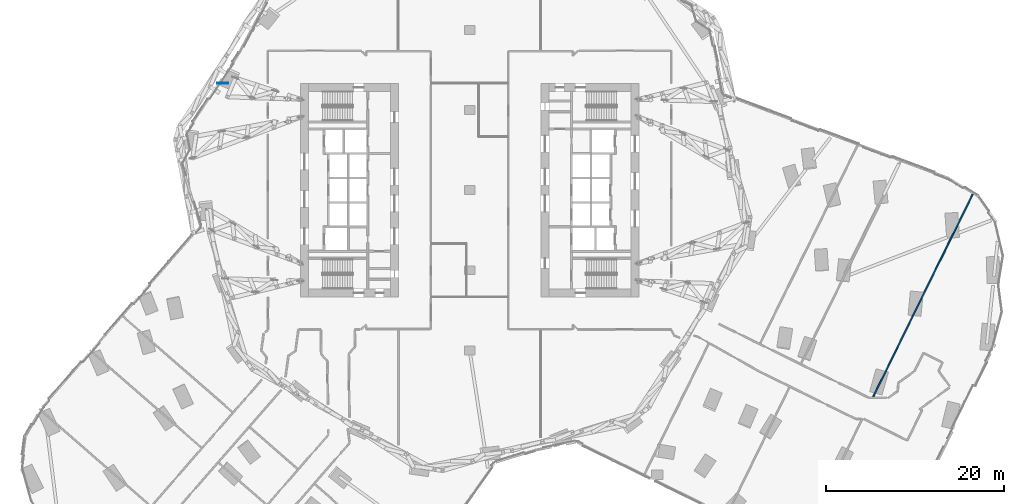
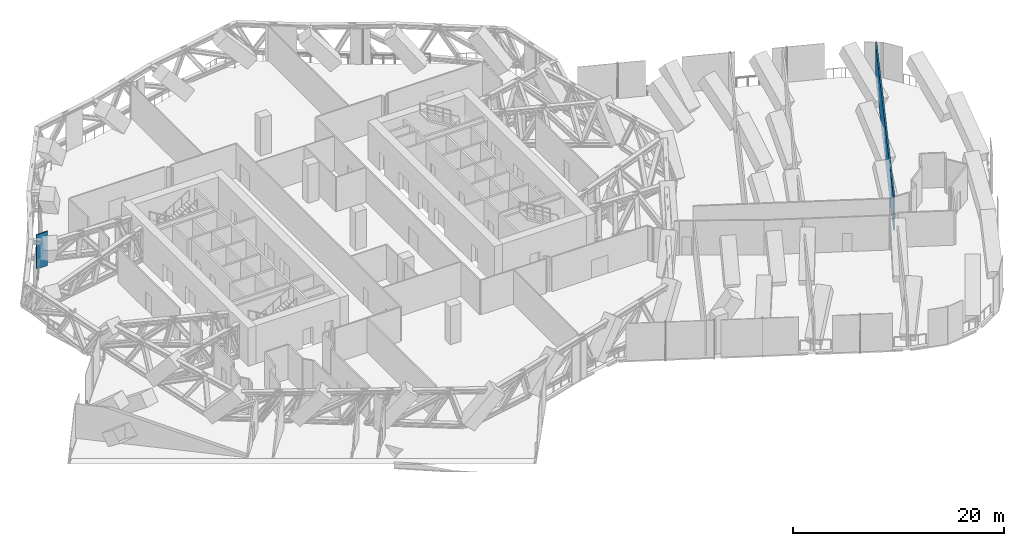
# One storey, part 29 of 34: 2 walls.
"""IFC4 building model written with IfcOpenShell, lengths in metres."""

import ifcopenshell
import ifcopenshell.guid

model = None  # the IFC model being written
_history = None  # IfcOwnerHistory: only IFC2X3 demands one
_inside = {}  # id of a spatial element -> (the spatial element, [elements in it])
_under = {}  # id of a project, library or spatial element -> (it, [spatial elements below it])
_declared = {}  # id of a project -> (the project, [libraries it declares])
_typed = {}  # id of a type object -> (the type object, [elements of that type])
_made_of = {}  # id of a material, layer set ... -> (it, [elements and type objects made of it])


def new_model(schema):
    """Start an empty IFC model of exactly this schema.

    Asked for "IFC4X3", IfcOpenShell would pick the latest addendum, in which some entities
    have other attributes; the version numbers below select the first issue.
    IFC2X3 requires an IfcOwnerHistory on every rooted entity: one is made here for all.
    """
    global model, _history
    if schema == "IFC4X3":
        model = ifcopenshell.file(schema_version=(4, 3, 0, 0))
    else:
        model = ifcopenshell.file(schema=schema)
    _inside.clear()
    _under.clear()
    _declared.clear()
    _typed.clear()
    _made_of.clear()
    _history = None
    if model.schema == "IFC2X3":
        org = make("IfcOrganization", Name="unknown")
        user = make(
            "IfcPersonAndOrganization",
            ThePerson=make("IfcPerson", FamilyName="unknown"),
            TheOrganization=org,
        )
        app = make(
            "IfcApplication",
            ApplicationDeveloper=org,
            Version="unknown",
            ApplicationFullName="unknown",
            ApplicationIdentifier="unknown",
        )
        _history = make(
            "IfcOwnerHistory",
            OwningUser=user,
            OwningApplication=app,
            ChangeAction="ADDED",
            CreationDate=0,
        )
    return model


def make(cls, **values):
    """One entity of the class cls with the attributes given. An attribute that is None is left unset."""
    return model.create_entity(
        cls, **{name: value for name, value in values.items() if value is not None}
    )


def rooted(cls, **values):
    """An entity with a GlobalId (a new one), such as an element, a storey or a relation."""
    return make(cls, GlobalId=ifcopenshell.guid.new(), OwnerHistory=_history, **values)


def si_unit(unit_type, name, prefix=None):
    """IfcSIUnit, for example si_unit("LENGTHUNIT", "METRE", prefix="MILLI")."""
    return make("IfcSIUnit", UnitType=unit_type, Prefix=prefix, Name=name)


def assignment(units):
    """IfcUnitAssignment: the units of a project."""
    return None if units is None else make("IfcUnitAssignment", Units=units)


def point(xyz):
    """IfcCartesianPoint."""
    return None if xyz is None else make("IfcCartesianPoint", Coordinates=xyz)


def direction(xyz):
    """IfcDirection."""
    return None if xyz is None else make("IfcDirection", DirectionRatios=xyz)


def frame(location, z_axis=None, x_axis=None):
    """IfcAxis2Placement3D, a coordinate frame: its origin and axes. An axis left out is left unset."""
    return make(
        "IfcAxis2Placement3D",
        Location=point(location),
        Axis=direction(z_axis),
        RefDirection=direction(x_axis),
    )


def frame_2d(location, x_axis=None):
    """IfcAxis2Placement2D, a coordinate frame in the plane: its origin and x axis."""
    return make(
        "IfcAxis2Placement2D", Location=point(location), RefDirection=direction(x_axis)
    )


def origin():
    """The frame at (0, 0, 0) with its axes left unset."""
    return frame((0.0, 0.0, 0.0))


def place(relative_to, where):
    """IfcLocalPlacement: puts the frame where relative to a parent placement (None: the world)."""
    return make(
        "IfcLocalPlacement", PlacementRelTo=relative_to, RelativePlacement=where
    )


def context(
    kind, dimensions, precision=None, world=None, true_north=None, identifier=None
):
    """IfcGeometricRepresentationContext, for example the 3D "Model" context."""
    return make(
        "IfcGeometricRepresentationContext",
        ContextIdentifier=identifier,
        ContextType=kind,
        CoordinateSpaceDimension=dimensions,
        Precision=precision,
        WorldCoordinateSystem=world,
        TrueNorth=true_north,
    )


def subcontext(parent, identifier, kind, view, scale=None):
    """IfcGeometricRepresentationSubContext, for example "Body" below "Model"."""
    return make(
        "IfcGeometricRepresentationSubContext",
        ContextIdentifier=identifier,
        ContextType=kind,
        ParentContext=parent,
        TargetScale=scale,
        TargetView=view,
    )


def project(units=None, contexts=None):
    """IfcProject with its units and contexts."""
    return rooted(
        "IfcProject",
        Name="project",
        RepresentationContexts=contexts,
        UnitsInContext=assignment(units),
    )


def spatial(cls, under=None, at=None, **own):
    """A site, building, storey or space (cls), placed at a placement, below another one or the project."""
    s = rooted(cls, ObjectPlacement=at, **own)
    if under is not None:
        _under.setdefault(under.id(), (under, []))[1].append(s)
    return s


def profile(cls, at=None, kind="AREA", **sizes):
    """A parametric profile (cls). Its sizes go by their IFC names, for example OverallWidth=200.0."""
    return make(cls, ProfileType=kind, Position=at, **sizes)


def rectangle(**sizes):
    """IfcRectangleProfileDef."""
    return profile("IfcRectangleProfileDef", **sizes)


def extrude(swept, where, along, depth):
    """IfcExtrudedAreaSolid: the profile swept, set in the frame where, extruded along a direction by depth."""
    return make(
        "IfcExtrudedAreaSolid",
        SweptArea=swept,
        Position=where,
        ExtrudedDirection=direction(along),
        Depth=depth,
    )


def shape(context_of_items, identifier, shape_type, items):
    """IfcShapeRepresentation: the items that make up one representation, for example the "Body"."""
    return make(
        "IfcShapeRepresentation",
        ContextOfItems=context_of_items,
        RepresentationIdentifier=identifier,
        RepresentationType=shape_type,
        Items=items,
    )


def material(Name=None, Category=None):
    """IfcMaterial."""
    return make("IfcMaterial", Name=Name, Category=Category)


def layer(
    of_material, thickness, ventilated=None, Name=None, Category=None, Priority=None
):
    """IfcMaterialLayer: one layer of a wall or slab, of a material (None: an air gap)."""
    return make(
        "IfcMaterialLayer",
        Material=of_material,
        LayerThickness=thickness,
        IsVentilated=ventilated,
        Name=Name,
        Category=Category,
        Priority=Priority,
    )


def layer_set(layers, Name=None):
    """IfcMaterialLayerSet."""
    return make("IfcMaterialLayerSet", MaterialLayers=layers, LayerSetName=Name)


def made_of(thing, what):
    """Note that an element or type object is made of a material, layer set ...; save() writes the relation."""
    if what is not None:
        _made_of.setdefault(what.id(), (what, []))[1].append(thing)
    return thing


def type_object(cls, material=None, **own):
    """A type object (cls), such as IfcWallType, which elements share."""
    return made_of(rooted(cls, **own), material)


def element(
    cls,
    number,
    at=None,
    inside=None,
    cuts=None,
    type_object=None,
    material=None,
    context=None,
    identifier="Body",
    shape_type=None,
    held_by="IfcProductDefinitionShape",
    body=None,
    shapes=None,
    **own,
):
    """One element of the class cls, such as IfcWall. Its Tag is "e" and its number.

    at: its placement. inside: the storey or other place that contains it. cuts: it is an
    opening in that element (IfcRelVoidsElement). A single representation is given by context,
    identifier, shape_type and body (its items); several are given by shapes. held_by: the class
    of the entity that holds the representations. save() writes the other relations.
    """
    e = rooted(cls, Tag="e%d" % number, ObjectPlacement=at, **own)
    if body is not None:
        shapes = [shape(context, identifier, shape_type, body)]
    if shapes is not None:
        e.Representation = make(held_by, Representations=shapes)
    if inside is not None:
        _inside.setdefault(inside.id(), (inside, []))[1].append(e)
    if cuts is not None:
        rooted(
            "IfcRelVoidsElement", RelatingBuildingElement=cuts, RelatedOpeningElement=e
        )
    if type_object is not None:
        _typed.setdefault(type_object.id(), (type_object, []))[1].append(e)
    return made_of(e, material)


def aggregate(whole, parts):
    """IfcRelAggregates: a whole, such as a stair, and the parts it consists of."""
    return rooted("IfcRelAggregates", RelatingObject=whole, RelatedObjects=parts)


def save(model, path):
    """Write the relations noted so far, then the file.

    IfcRelAggregates (storeys below a building ...), IfcRelContainedInSpatialStructure (elements
    in a storey), IfcRelDefinesByType, IfcRelAssociatesMaterial and IfcRelDeclares: one each for
    every whole, place, type object, material and project.
    """
    for whole, parts in _under.values():
        aggregate(whole, parts)
    for where, things in _inside.values():
        rooted(
            "IfcRelContainedInSpatialStructure",
            RelatedElements=things,
            RelatingStructure=where,
        )
    for kind, things in _typed.values():
        rooted("IfcRelDefinesByType", RelatedObjects=things, RelatingType=kind)
    for what, things in _made_of.values():
        rooted("IfcRelAssociatesMaterial", RelatedObjects=things, RelatingMaterial=what)
    for by, libraries in _declared.values():
        rooted("IfcRelDeclares", RelatingContext=by, RelatedDefinitions=libraries)
    model.write(path)


model = new_model("IFC4")

# Units and contexts
model_context = context("Model", 3, precision=1e-05, world=origin(), true_north=direction((0.0, 1.0)))
body_context = subcontext(model_context, "Body", "Model", "MODEL_VIEW")
ifc_project = project(units=[si_unit("LENGTHUNIT", "METRE"), si_unit("AREAUNIT", "SQUARE_METRE"), si_unit("VOLUMEUNIT", "CUBIC_METRE"), si_unit("PLANEANGLEUNIT", "RADIAN"), si_unit("MASSUNIT", "GRAM", prefix="KILO")], contexts=[model_context])

# Site, building, storey
site_placement = place(None, origin())
site = spatial("IfcSite", under=ifc_project, at=site_placement, CompositionType="ELEMENT")
building_placement = place(site_placement, origin())
building = spatial("IfcBuilding", under=site, at=building_placement, Name="Orlundy Tower", CompositionType="ELEMENT")
storey_placement = place(building_placement, frame((0.0, 0.0, 76.300048828125)))
storey = spatial("IfcBuildingStorey", under=building, at=storey_placement, Name="L18", CompositionType="ELEMENT", Elevation=76.300048828125)

# Walls
ifc_material_1 = material(Name="Gypsum board partition")
ifc_layer_1 = layer(ifc_material_1, 0.10009765625)
ifc_layer_set_1 = layer_set([ifc_layer_1], Name="Floor partition 100")
wall_type_1 = type_object("IfcWallType", Name="Floor partition 100", PredefinedType="PARTITIONING", material=ifc_layer_set_1)
wall_1_placement = place(storey_placement, frame((-28.35302734375, 12.0, 0.0), z_axis=(0.0, 0.0, 1.0), x_axis=(1.0, 0.0, 0.0)))
element("IfcWall", 1, at=wall_1_placement, inside=storey, type_object=wall_type_1, Name="wall-int-L18-046", PredefinedType="PARTITIONING", context=body_context, shape_type="SweptSolid", body=[
    extrude(rectangle(XDim=1.239990234375, YDim=0.10009765625, at=frame_2d((0.6201171875, 0.0))), origin(), (0.0, 0.0, 1.0), 3.97998046875),
])
ifc_material_2 = material(Name="Blockwork shaft wall", Category="masonry")
ifc_layer_2 = layer(ifc_material_2, 0.14990234375)
ifc_layer_set_2 = layer_set([ifc_layer_2], Name="Floor shaft wall 150")
wall_type_2 = type_object("IfcWallType", Name="Floor shaft wall 150", PredefinedType="PARTITIONING", material=ifc_layer_set_2)
wall_2_placement = place(storey_placement, frame((45.31396484375, -23.197998046875, 0.0), z_axis=(0.0, 0.0, 1.0), x_axis=(0.441005817264, 0.897504244636, 0.0)))
element("IfcWall", 2, at=wall_2_placement, inside=storey, type_object=wall_type_2, Name="wall-int-L18-071", PredefinedType="PARTITIONING", context=body_context, shape_type="SweptSolid", body=[
    extrude(rectangle(XDim=25.623291015625, YDim=0.14990234375, at=frame_2d((12.8115234375, 0.0))), origin(), (0.0, 0.0, 1.0), 3.97998046875),
])

save(model, "model.ifc")
